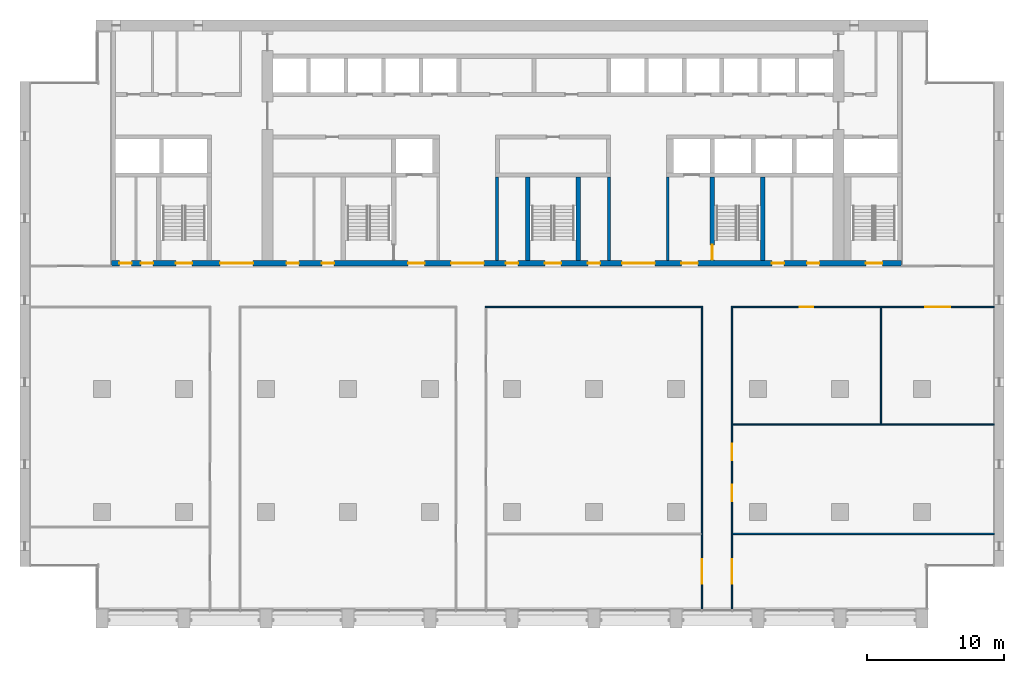
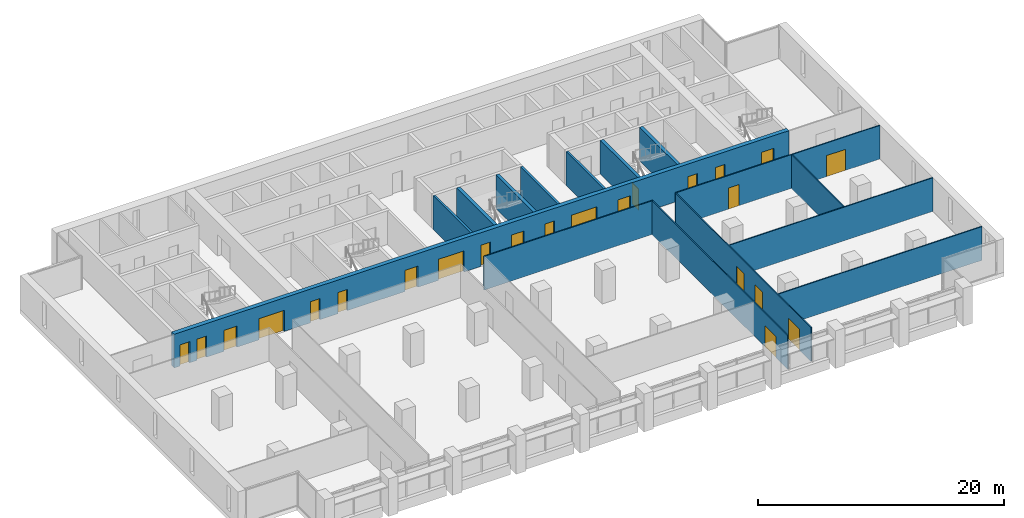
# One storey, part 9 of 16: 23 doors, 15 walls, 23 openings.
"""IFC4 building model written with IfcOpenShell, lengths in metres."""

import ifcopenshell
import ifcopenshell.guid

model = None  # the IFC model being written
_history = None  # IfcOwnerHistory: only IFC2X3 demands one
_inside = {}  # id of a spatial element -> (the spatial element, [elements in it])
_under = {}  # id of a project, library or spatial element -> (it, [spatial elements below it])
_declared = {}  # id of a project -> (the project, [libraries it declares])
_typed = {}  # id of a type object -> (the type object, [elements of that type])
_made_of = {}  # id of a material, layer set ... -> (it, [elements and type objects made of it])


def new_model(schema):
    """Start an empty IFC model of exactly this schema.

    Asked for "IFC4X3", IfcOpenShell would pick the latest addendum, in which some entities
    have other attributes; the version numbers below select the first issue.
    IFC2X3 requires an IfcOwnerHistory on every rooted entity: one is made here for all.
    """
    global model, _history
    if schema == "IFC4X3":
        model = ifcopenshell.file(schema_version=(4, 3, 0, 0))
    else:
        model = ifcopenshell.file(schema=schema)
    _inside.clear()
    _under.clear()
    _declared.clear()
    _typed.clear()
    _made_of.clear()
    _history = None
    if model.schema == "IFC2X3":
        org = make("IfcOrganization", Name="unknown")
        user = make(
            "IfcPersonAndOrganization",
            ThePerson=make("IfcPerson", FamilyName="unknown"),
            TheOrganization=org,
        )
        app = make(
            "IfcApplication",
            ApplicationDeveloper=org,
            Version="unknown",
            ApplicationFullName="unknown",
            ApplicationIdentifier="unknown",
        )
        _history = make(
            "IfcOwnerHistory",
            OwningUser=user,
            OwningApplication=app,
            ChangeAction="ADDED",
            CreationDate=0,
        )
    return model


def make(cls, **values):
    """One entity of the class cls with the attributes given. An attribute that is None is left unset."""
    return model.create_entity(
        cls, **{name: value for name, value in values.items() if value is not None}
    )


def rooted(cls, **values):
    """An entity with a GlobalId (a new one), such as an element, a storey or a relation."""
    return make(cls, GlobalId=ifcopenshell.guid.new(), OwnerHistory=_history, **values)


def si_unit(unit_type, name, prefix=None):
    """IfcSIUnit, for example si_unit("LENGTHUNIT", "METRE", prefix="MILLI")."""
    return make("IfcSIUnit", UnitType=unit_type, Prefix=prefix, Name=name)


def assignment(units):
    """IfcUnitAssignment: the units of a project."""
    return None if units is None else make("IfcUnitAssignment", Units=units)


def point(xyz):
    """IfcCartesianPoint."""
    return None if xyz is None else make("IfcCartesianPoint", Coordinates=xyz)


def direction(xyz):
    """IfcDirection."""
    return None if xyz is None else make("IfcDirection", DirectionRatios=xyz)


def frame(location, z_axis=None, x_axis=None):
    """IfcAxis2Placement3D, a coordinate frame: its origin and axes. An axis left out is left unset."""
    return make(
        "IfcAxis2Placement3D",
        Location=point(location),
        Axis=direction(z_axis),
        RefDirection=direction(x_axis),
    )


def frame_2d(location, x_axis=None):
    """IfcAxis2Placement2D, a coordinate frame in the plane: its origin and x axis."""
    return make(
        "IfcAxis2Placement2D", Location=point(location), RefDirection=direction(x_axis)
    )


def origin():
    """The frame at (0, 0, 0) with its axes left unset."""
    return frame((0.0, 0.0, 0.0))


def place(relative_to, where):
    """IfcLocalPlacement: puts the frame where relative to a parent placement (None: the world)."""
    return make(
        "IfcLocalPlacement", PlacementRelTo=relative_to, RelativePlacement=where
    )


def context(
    kind, dimensions, precision=None, world=None, true_north=None, identifier=None
):
    """IfcGeometricRepresentationContext, for example the 3D "Model" context."""
    return make(
        "IfcGeometricRepresentationContext",
        ContextIdentifier=identifier,
        ContextType=kind,
        CoordinateSpaceDimension=dimensions,
        Precision=precision,
        WorldCoordinateSystem=world,
        TrueNorth=true_north,
    )


def subcontext(parent, identifier, kind, view, scale=None):
    """IfcGeometricRepresentationSubContext, for example "Body" below "Model"."""
    return make(
        "IfcGeometricRepresentationSubContext",
        ContextIdentifier=identifier,
        ContextType=kind,
        ParentContext=parent,
        TargetScale=scale,
        TargetView=view,
    )


def project(units=None, contexts=None):
    """IfcProject with its units and contexts."""
    return rooted(
        "IfcProject",
        Name="project",
        RepresentationContexts=contexts,
        UnitsInContext=assignment(units),
    )


def spatial(cls, under=None, at=None, **own):
    """A site, building, storey or space (cls), placed at a placement, below another one or the project."""
    s = rooted(cls, ObjectPlacement=at, **own)
    if under is not None:
        _under.setdefault(under.id(), (under, []))[1].append(s)
    return s


def profile(cls, at=None, kind="AREA", **sizes):
    """A parametric profile (cls). Its sizes go by their IFC names, for example OverallWidth=200.0."""
    return make(cls, ProfileType=kind, Position=at, **sizes)


def rectangle(**sizes):
    """IfcRectangleProfileDef."""
    return profile("IfcRectangleProfileDef", **sizes)


def extrude(swept, where, along, depth):
    """IfcExtrudedAreaSolid: the profile swept, set in the frame where, extruded along a direction by depth."""
    return make(
        "IfcExtrudedAreaSolid",
        SweptArea=swept,
        Position=where,
        ExtrudedDirection=direction(along),
        Depth=depth,
    )


def shape(context_of_items, identifier, shape_type, items):
    """IfcShapeRepresentation: the items that make up one representation, for example the "Body"."""
    return make(
        "IfcShapeRepresentation",
        ContextOfItems=context_of_items,
        RepresentationIdentifier=identifier,
        RepresentationType=shape_type,
        Items=items,
    )


def material(Name=None, Category=None):
    """IfcMaterial."""
    return make("IfcMaterial", Name=Name, Category=Category)


def layer(
    of_material, thickness, ventilated=None, Name=None, Category=None, Priority=None
):
    """IfcMaterialLayer: one layer of a wall or slab, of a material (None: an air gap)."""
    return make(
        "IfcMaterialLayer",
        Material=of_material,
        LayerThickness=thickness,
        IsVentilated=ventilated,
        Name=Name,
        Category=Category,
        Priority=Priority,
    )


def layer_set(layers, Name=None):
    """IfcMaterialLayerSet."""
    return make("IfcMaterialLayerSet", MaterialLayers=layers, LayerSetName=Name)


def made_of(thing, what):
    """Note that an element or type object is made of a material, layer set ...; save() writes the relation."""
    if what is not None:
        _made_of.setdefault(what.id(), (what, []))[1].append(thing)
    return thing


def type_object(cls, material=None, **own):
    """A type object (cls), such as IfcWallType, which elements share."""
    return made_of(rooted(cls, **own), material)


def element(
    cls,
    number,
    at=None,
    inside=None,
    cuts=None,
    type_object=None,
    material=None,
    context=None,
    identifier="Body",
    shape_type=None,
    held_by="IfcProductDefinitionShape",
    body=None,
    shapes=None,
    **own,
):
    """One element of the class cls, such as IfcWall. Its Tag is "e" and its number.

    at: its placement. inside: the storey or other place that contains it. cuts: it is an
    opening in that element (IfcRelVoidsElement). A single representation is given by context,
    identifier, shape_type and body (its items); several are given by shapes. held_by: the class
    of the entity that holds the representations. save() writes the other relations.
    """
    e = rooted(cls, Tag="e%d" % number, ObjectPlacement=at, **own)
    if body is not None:
        shapes = [shape(context, identifier, shape_type, body)]
    if shapes is not None:
        e.Representation = make(held_by, Representations=shapes)
    if inside is not None:
        _inside.setdefault(inside.id(), (inside, []))[1].append(e)
    if cuts is not None:
        rooted(
            "IfcRelVoidsElement", RelatingBuildingElement=cuts, RelatedOpeningElement=e
        )
    if type_object is not None:
        _typed.setdefault(type_object.id(), (type_object, []))[1].append(e)
    return made_of(e, material)


def fill(opening, filler):
    """IfcRelFillsElement: the door or window that sits in an opening."""
    return rooted(
        "IfcRelFillsElement",
        RelatingOpeningElement=opening,
        RelatedBuildingElement=filler,
    )


def aggregate(whole, parts):
    """IfcRelAggregates: a whole, such as a stair, and the parts it consists of."""
    return rooted("IfcRelAggregates", RelatingObject=whole, RelatedObjects=parts)


def save(model, path):
    """Write the relations noted so far, then the file.

    IfcRelAggregates (storeys below a building ...), IfcRelContainedInSpatialStructure (elements
    in a storey), IfcRelDefinesByType, IfcRelAssociatesMaterial and IfcRelDeclares: one each for
    every whole, place, type object, material and project.
    """
    for whole, parts in _under.values():
        aggregate(whole, parts)
    for where, things in _inside.values():
        rooted(
            "IfcRelContainedInSpatialStructure",
            RelatedElements=things,
            RelatingStructure=where,
        )
    for kind, things in _typed.values():
        rooted("IfcRelDefinesByType", RelatedObjects=things, RelatingType=kind)
    for what, things in _made_of.values():
        rooted("IfcRelAssociatesMaterial", RelatedObjects=things, RelatingMaterial=what)
    for by, libraries in _declared.values():
        rooted("IfcRelDeclares", RelatingContext=by, RelatedDefinitions=libraries)
    model.write(path)


model = new_model("IFC4")

# Units and contexts
model_context = context("Model", 3, precision=1e-05, world=origin(), true_north=direction((0.0, 1.0)))
body_context = subcontext(model_context, "Body", "Model", "MODEL_VIEW")
ifc_project = project(units=[si_unit("LENGTHUNIT", "METRE"), si_unit("AREAUNIT", "SQUARE_METRE"), si_unit("VOLUMEUNIT", "CUBIC_METRE"), si_unit("PLANEANGLEUNIT", "RADIAN"), si_unit("MASSUNIT", "GRAM", prefix="KILO")], contexts=[model_context])

# Site, building, storey
site_placement = place(None, origin())
site = spatial("IfcSite", under=ifc_project, at=site_placement, CompositionType="ELEMENT")
building_placement = place(site_placement, origin())
building = spatial("IfcBuilding", under=site, at=building_placement, Name="Calvaro Tower", CompositionType="ELEMENT")
storey_placement = place(building_placement, frame((0.0, 0.0, 136.25)))
storey = spatial("IfcBuildingStorey", under=building, at=storey_placement, Name="L34", CompositionType="ELEMENT", Elevation=136.25)

# Walls
ifc_material_1 = material(Name="Blockwork partition", Category="masonry")
ifc_layer_1 = layer(ifc_material_1, 0.199951171875)
ifc_layer_set_1 = layer_set([ifc_layer_1], Name="Blockwork partition")
wall_type_1 = type_object("IfcWallType", Name="Core partition 200 REI 120", PredefinedType="PARTITIONING", material=ifc_layer_set_1)
for number, where, z_axis, x_axis, name in (
    (1, (34.89990234375, 28.39990234375, 0.0), (0.0, 0.0, 1.0), (0.0, 1.0, 0.0), "Core partition"),
    (2, (43.10009765625, 28.39990234375, 0.0), (0.0, 0.0, 1.0), (0.0, 1.0, 0.0), "Core partition"),
    (3, (47.39990234375, 28.39990234375, 0.0), (0.0, 0.0, 1.0), (0.0, 1.0, 0.0), "Core partition"),
):
    element("IfcWall", number, at=place(storey_placement, frame(where, z_axis=z_axis, x_axis=x_axis)), inside=storey, type_object=wall_type_1, Name=name, PredefinedType="PARTITIONING", context=body_context, shape_type="SweptSolid", body=[
        extrude(rectangle(XDim=6.10009765625, YDim=0.199951171875, at=frame_2d((3.050048828125, 0.0))), origin(), (0.0, 0.0, 1.0), 3.35009765625),
    ])
ifc_material_2 = material(Name="Concrete C60/75", Category="concrete")
ifc_layer_2 = layer(ifc_material_2, 0.300048828125)
ifc_layer_set_2 = layer_set([ifc_layer_2], Name="Concrete C60/75")
wall_type_2 = type_object("IfcWallType", Name="Core wall C60/75 300", PredefinedType="SHEAR", material=ifc_layer_set_2)
for number, where, z_axis, x_axis, name in (
    (4, (37.14990234375, 28.39990234375, 0.0), (0.0, 0.0, 1.0), (0.0, 1.0, 0.0), "Core wall, stair enclosure"),
    (5, (40.85009765625, 28.39990234375, 0.0), (0.0, 0.0, 1.0), (0.0, 1.0, 0.0), "Core wall, stair enclosure"),
):
    element("IfcWall", number, at=place(storey_placement, frame(where, z_axis=z_axis, x_axis=x_axis)), inside=storey, type_object=wall_type_2, Name=name, PredefinedType="SHEAR", context=body_context, shape_type="SweptSolid", body=[
        extrude(rectangle(XDim=6.10009765625, YDim=0.300048828125, at=frame_2d((3.050048828125, 0.0))), origin(), (0.0, 0.0, 1.0), 3.35009765625),
    ])

# Wall, opening, door
wall_1_placement = place(storey_placement, frame((50.64990234375, 34.5, 0.0), z_axis=(0.0, 0.0, 1.0), x_axis=(0.0, -1.0, 0.0)))
wall_1 = element("IfcWall", 6, at=wall_1_placement, inside=storey, type_object=wall_type_2, Name="Core wall, stair enclosure", PredefinedType="SHEAR", context=body_context, shape_type="SweptSolid", body=[
    extrude(rectangle(XDim=6.10009765625, YDim=0.300048828125, at=frame_2d((3.050048828125, 0.0))), origin(), (0.0, 0.0, 1.0), 3.35009765625),
])
opening_1_placement = place(wall_1_placement, frame((4.949951171875, 0.0, 0.0)))
opening_1 = element("IfcOpeningElement", 7, at=opening_1_placement, cuts=wall_1, Name="Opening FD11D", PredefinedType="OPENING", context=body_context, shape_type="SweptSolid", body=[
    extrude(rectangle(XDim=1.10009765625, YDim=2.10009765625, at=frame_2d((0.550048828125, 1.050048828125))), frame((0.0, 0.159912109375, 0.0), z_axis=(0.0, -1.0, 0.0), x_axis=(1.0, 0.0, 0.0)), (0.0, 0.0, 1.0), 0.320068359375),
])
ifc_material_3 = material(Name="Steel door set", Category="steel")
door_type_1 = type_object("IfcDoorType", Name="Fire door 1100 FD30S", OperationType="SINGLE_SWING_LEFT", PredefinedType="DOOR", material=ifc_material_3)
door_1_placement = place(opening_1_placement, origin())
door_1 = element("IfcDoor", 8, at=door_1_placement, inside=storey, type_object=door_type_1, Name="Fire door", OperationType="SINGLE_SWING_RIGHT", OverallHeight=2.10009765625, OverallWidth=1.10009765625, PredefinedType="DOOR", context=body_context, shape_type="SweptSolid", body=[
    extrude(rectangle(XDim=1.10009765625, YDim=2.10009765625, at=frame_2d((0.550048828125, 1.050048828125))), frame((0.0, 0.02490234375, 0.0), z_axis=(0.0, -1.0, 0.0), x_axis=(1.0, 0.0, 0.0)), (0.0, 0.0, 1.0), 0.050048828125),
])
fill(opening_1, door_1)

# Wall
wall_2_placement = place(storey_placement, frame((54.35009765625, 28.39990234375, 0.0), z_axis=(0.0, 0.0, 1.0), x_axis=(0.0, 1.0, 0.0)))
element("IfcWall", 9, at=wall_2_placement, inside=storey, type_object=wall_type_2, Name="Core wall, stair enclosure", PredefinedType="SHEAR", context=body_context, shape_type="SweptSolid", body=[
    extrude(rectangle(XDim=6.10009765625, YDim=0.300048828125, at=frame_2d((3.050048828125, 0.0))), origin(), (0.0, 0.0, 1.0), 3.35009765625),
])

# Wall, openings, doors
ifc_material_4 = material(Name="Concrete C60/75", Category="concrete")
ifc_layer_3 = layer(ifc_material_4, 0.39990234375)
ifc_layer_set_3 = layer_set([ifc_layer_3], Name="Concrete C60/75")
wall_type_3 = type_object("IfcWallType", Name="Core wall C60/75 400", PredefinedType="SHEAR", material=ifc_layer_set_3)
wall_3_placement = place(storey_placement, frame((6.699951171875, 28.199951171875, 0.0), z_axis=(0.0, 0.0, 1.0), x_axis=(1.0, 0.0, 0.0)))
wall_3 = element("IfcWall", 10, at=wall_3_placement, inside=storey, type_object=wall_type_3, Name="Core wall, front", PredefinedType="SHEAR", context=body_context, shape_type="SweptSolid", body=[
    extrude(rectangle(XDim=57.800048828125, YDim=0.39990234375, at=frame_2d((28.89990234375, 0.0))), origin(), (0.0, 0.0, 1.0), 3.35009765625),
])
opening_2_placement = place(wall_3_placement, frame((12.8125, 0.0, 0.0)))
opening_2 = element("IfcOpeningElement", 11, at=opening_2_placement, cuts=wall_3, Name="Opening RD9E", PredefinedType="OPENING", context=body_context, shape_type="SweptSolid", body=[
    extrude(rectangle(XDim=0.89990234375, YDim=2.10009765625, at=frame_2d((0.449951171875, 1.050048828125))), frame((0.0, 0.2099609375, 0.0), z_axis=(0.0, -1.0, 0.0), x_axis=(1.0, 0.0, 0.0)), (0.0, 0.0, 1.0), 0.419921875),
])
opening_3_placement = place(wall_3_placement, frame((15.387451171875, 0.0, 0.0)))
opening_3 = element("IfcOpeningElement", 12, at=opening_3_placement, cuts=wall_3, Name="Opening RD9E", PredefinedType="OPENING", context=body_context, shape_type="SweptSolid", body=[
    extrude(rectangle(XDim=0.89990234375, YDim=2.10009765625, at=frame_2d((0.449951171875, 1.050048828125))), frame((0.0, 0.2099609375, 0.0), z_axis=(0.0, -1.0, 0.0), x_axis=(1.0, 0.0, 0.0)), (0.0, 0.0, 1.0), 0.419921875),
])
opening_4_placement = place(wall_3_placement, frame((48.3125, 0.0, 0.0)))
opening_4 = element("IfcOpeningElement", 13, at=opening_4_placement, cuts=wall_3, Name="Opening RD9E", PredefinedType="OPENING", context=body_context, shape_type="SweptSolid", body=[
    extrude(rectangle(XDim=0.89990234375, YDim=2.10009765625, at=frame_2d((0.449951171875, 1.050048828125))), frame((0.0, 0.2099609375, 0.0), z_axis=(0.0, -1.0, 0.0), x_axis=(1.0, 0.0, 0.0)), (0.0, 0.0, 1.0), 0.419921875),
])
opening_5_placement = place(wall_3_placement, frame((50.887451171875, 0.0, 0.0)))
opening_5 = element("IfcOpeningElement", 14, at=opening_5_placement, cuts=wall_3, Name="Opening RD9E", PredefinedType="OPENING", context=body_context, shape_type="SweptSolid", body=[
    extrude(rectangle(XDim=0.89990234375, YDim=2.10009765625, at=frame_2d((0.449951171875, 1.050048828125))), frame((0.0, 0.2099609375, 0.0), z_axis=(0.0, -1.0, 0.0), x_axis=(1.0, 0.0, 0.0)), (0.0, 0.0, 1.0), 0.419921875),
])
opening_6_placement = place(wall_3_placement, frame((0.5625, 0.0, 0.0)))
opening_6 = element("IfcOpeningElement", 15, at=opening_6_placement, cuts=wall_3, Name="Opening RD9E", PredefinedType="OPENING", context=body_context, shape_type="SweptSolid", body=[
    extrude(rectangle(XDim=0.89990234375, YDim=2.10009765625, at=frame_2d((0.449951171875, 1.050048828125))), frame((0.0, 0.2099609375, 0.0), z_axis=(0.0, -1.0, 0.0), x_axis=(1.0, 0.0, 0.0)), (0.0, 0.0, 1.0), 0.419921875),
])
opening_7_placement = place(wall_3_placement, frame((2.137451171875, 0.0, 0.0)))
opening_7 = element("IfcOpeningElement", 16, at=opening_7_placement, cuts=wall_3, Name="Opening RD9C", PredefinedType="OPENING", context=body_context, shape_type="SweptSolid", body=[
    extrude(rectangle(XDim=0.89990234375, YDim=2.10009765625, at=frame_2d((0.449951171875, 1.050048828125))), frame((0.0, 0.2099609375, 0.0), z_axis=(0.0, -1.0, 0.0), x_axis=(1.0, 0.0, 0.0)), (0.0, 0.0, 1.0), 0.419921875),
])
opening_8_placement = place(wall_3_placement, frame((4.699951171875, 0.0, 0.0)))
opening_8 = element("IfcOpeningElement", 17, at=opening_8_placement, cuts=wall_3, Name="Opening SD12D", PredefinedType="OPENING", context=body_context, shape_type="SweptSolid", body=[
    extrude(rectangle(XDim=1.199951171875, YDim=2.10009765625, at=frame_2d((0.60009765625, 1.050048828125))), frame((0.0, 0.2099609375, 0.0), z_axis=(0.0, -1.0, 0.0), x_axis=(1.0, 0.0, 0.0)), (0.0, 0.0, 1.0), 0.419921875),
])
opening_9_placement = place(wall_3_placement, frame((31.699951171875, 0.0, 0.0)))
opening_9 = element("IfcOpeningElement", 18, at=opening_9_placement, cuts=wall_3, Name="Opening SD12D", PredefinedType="OPENING", context=body_context, shape_type="SweptSolid", body=[
    extrude(rectangle(XDim=1.199951171875, YDim=2.10009765625, at=frame_2d((0.60009765625, 1.050048828125))), frame((0.0, 0.2099609375, 0.0), z_axis=(0.0, -1.0, 0.0), x_axis=(1.0, 0.0, 0.0)), (0.0, 0.0, 1.0), 0.419921875),
])
opening_10_placement = place(wall_3_placement, frame((55.199951171875, 0.0, 0.0)))
opening_10 = element("IfcOpeningElement", 19, at=opening_10_placement, cuts=wall_3, Name="Opening SD12D", PredefinedType="OPENING", context=body_context, shape_type="SweptSolid", body=[
    extrude(rectangle(XDim=1.199951171875, YDim=2.10009765625, at=frame_2d((0.60009765625, 1.050048828125))), frame((0.0, 0.2099609375, 0.0), z_axis=(0.0, -1.0, 0.0), x_axis=(1.0, 0.0, 0.0)), (0.0, 0.0, 1.0), 0.419921875),
])
opening_11_placement = place(wall_3_placement, frame((21.699951171875, 0.0, 0.0)))
opening_11 = element("IfcOpeningElement", 20, at=opening_11_placement, cuts=wall_3, Name="Opening FD12F", PredefinedType="OPENING", context=body_context, shape_type="SweptSolid", body=[
    extrude(rectangle(XDim=1.199951171875, YDim=2.10009765625, at=frame_2d((0.60009765625, 1.050048828125))), frame((0.0, 0.2099609375, 0.0), z_axis=(0.0, -1.0, 0.0), x_axis=(1.0, 0.0, 0.0)), (0.0, 0.0, 1.0), 0.419921875),
])
opening_12_placement = place(wall_3_placement, frame((41.699951171875, 0.0, 0.0)))
opening_12 = element("IfcOpeningElement", 21, at=opening_12_placement, cuts=wall_3, Name="Opening FD12F", PredefinedType="OPENING", context=body_context, shape_type="SweptSolid", body=[
    extrude(rectangle(XDim=1.199951171875, YDim=2.10009765625, at=frame_2d((0.60009765625, 1.050048828125))), frame((0.0, 0.2099609375, 0.0), z_axis=(0.0, -1.0, 0.0), x_axis=(1.0, 0.0, 0.0)), (0.0, 0.0, 1.0), 0.419921875),
])
opening_13_placement = place(wall_3_placement, frame((24.85009765625, 0.0, 0.0)))
opening_13 = element("IfcOpeningElement", 22, at=opening_13_placement, cuts=wall_3, Name="Opening DD24D", PredefinedType="OPENING", context=body_context, shape_type="SweptSolid", body=[
    extrude(rectangle(XDim=2.39990234375, YDim=2.10009765625, at=frame_2d((1.199951171875, 1.050048828125))), frame((0.0, 0.2099609375, 0.0), z_axis=(0.0, -1.0, 0.0), x_axis=(1.0, 0.0, 0.0)), (0.0, 0.0, 1.0), 0.419921875),
])
opening_14_placement = place(wall_3_placement, frame((37.35009765625, 0.0, 0.0)))
opening_14 = element("IfcOpeningElement", 23, at=opening_14_placement, cuts=wall_3, Name="Opening DD24D", PredefinedType="OPENING", context=body_context, shape_type="SweptSolid", body=[
    extrude(rectangle(XDim=2.39990234375, YDim=2.10009765625, at=frame_2d((1.199951171875, 1.050048828125))), frame((0.0, 0.2099609375, 0.0), z_axis=(0.0, -1.0, 0.0), x_axis=(1.0, 0.0, 0.0)), (0.0, 0.0, 1.0), 0.419921875),
])
opening_15_placement = place(wall_3_placement, frame((7.949951171875, 0.0, 0.0)))
opening_15 = element("IfcOpeningElement", 24, at=opening_15_placement, cuts=wall_3, Name="Opening DD24D", PredefinedType="OPENING", context=body_context, shape_type="SweptSolid", body=[
    extrude(rectangle(XDim=2.39990234375, YDim=2.10009765625, at=frame_2d((1.199951171875, 1.050048828125))), frame((0.0, 0.2099609375, 0.0), z_axis=(0.0, -1.0, 0.0), x_axis=(1.0, 0.0, 0.0)), (0.0, 0.0, 1.0), 0.419921875),
])
opening_16_placement = place(wall_3_placement, frame((28.85009765625, 0.0, 0.0)))
opening_16 = element("IfcOpeningElement", 25, at=opening_16_placement, cuts=wall_3, Name="Opening RD9E", PredefinedType="OPENING", context=body_context, shape_type="SweptSolid", body=[
    extrude(rectangle(XDim=0.89990234375, YDim=2.10009765625, at=frame_2d((0.449951171875, 1.050048828125))), frame((0.0, 0.2099609375, 0.0), z_axis=(0.0, -1.0, 0.0), x_axis=(1.0, 0.0, 0.0)), (0.0, 0.0, 1.0), 0.419921875),
])
opening_17_placement = place(wall_3_placement, frame((34.85009765625, 0.0, 0.0)))
opening_17 = element("IfcOpeningElement", 26, at=opening_17_placement, cuts=wall_3, Name="Opening RD9E", PredefinedType="OPENING", context=body_context, shape_type="SweptSolid", body=[
    extrude(rectangle(XDim=0.89990234375, YDim=2.10009765625, at=frame_2d((0.449951171875, 1.050048828125))), frame((0.0, 0.2099609375, 0.0), z_axis=(0.0, -1.0, 0.0), x_axis=(1.0, 0.0, 0.0)), (0.0, 0.0, 1.0), 0.419921875),
])
ifc_material_5 = material(Name="Steel door set", Category="steel")
door_type_2 = type_object("IfcDoorType", Name="Fire door 1200 FD60S", OperationType="SINGLE_SWING_LEFT", PredefinedType="DOOR", material=ifc_material_5)
door_2_placement = place(opening_11_placement, origin())
door_2 = element("IfcDoor", 27, at=door_2_placement, inside=storey, type_object=door_type_2, Name="Fire door", OperationType="SINGLE_SWING_LEFT", OverallHeight=2.10009765625, OverallWidth=1.199951171875, PredefinedType="DOOR", context=body_context, shape_type="SweptSolid", body=[
    extrude(rectangle(XDim=1.199951171875, YDim=2.10009765625, at=frame_2d((0.60009765625, 1.050048828125))), frame((0.0, 0.02490234375, 0.0), z_axis=(0.0, -1.0, 0.0), x_axis=(1.0, 0.0, 0.0)), (0.0, 0.0, 1.0), 0.050048828125),
])
fill(opening_11, door_2)
door_3_placement = place(opening_12_placement, origin())
door_3 = element("IfcDoor", 28, at=door_3_placement, inside=storey, type_object=door_type_2, Name="Fire door", OperationType="SINGLE_SWING_LEFT", OverallHeight=2.10009765625, OverallWidth=1.199951171875, PredefinedType="DOOR", context=body_context, shape_type="SweptSolid", body=[
    extrude(rectangle(XDim=1.199951171875, YDim=2.10009765625, at=frame_2d((0.60009765625, 1.050048828125))), frame((0.0, 0.02490234375, 0.0), z_axis=(0.0, -1.0, 0.0), x_axis=(1.0, 0.0, 0.0)), (0.0, 0.0, 1.0), 0.050048828125),
])
fill(opening_12, door_3)
ifc_material_6 = material(Name="Steel door set", Category="steel")
door_type_3 = type_object("IfcDoorType", Name="Lobby double door 2400 FD30S", OperationType="DOUBLE_DOOR_SINGLE_SWING", PredefinedType="DOOR", material=ifc_material_6)
door_4_placement = place(opening_13_placement, origin())
door_4 = element("IfcDoor", 29, at=door_4_placement, inside=storey, type_object=door_type_3, Name="Lobby double door", OperationType="DOUBLE_DOOR_SINGLE_SWING", OverallHeight=2.10009765625, OverallWidth=2.39990234375, PredefinedType="DOOR", context=body_context, shape_type="SweptSolid", body=[
    extrude(rectangle(XDim=2.39990234375, YDim=2.10009765625, at=frame_2d((1.199951171875, 1.050048828125))), frame((0.0, 0.02490234375, 0.0), z_axis=(0.0, -1.0, 0.0), x_axis=(1.0, 0.0, 0.0)), (0.0, 0.0, 1.0), 0.050048828125),
])
fill(opening_13, door_4)
door_5_placement = place(opening_14_placement, origin())
door_5 = element("IfcDoor", 30, at=door_5_placement, inside=storey, type_object=door_type_3, Name="Lobby double door", OperationType="DOUBLE_DOOR_SINGLE_SWING", OverallHeight=2.10009765625, OverallWidth=2.39990234375, PredefinedType="DOOR", context=body_context, shape_type="SweptSolid", body=[
    extrude(rectangle(XDim=2.39990234375, YDim=2.10009765625, at=frame_2d((1.199951171875, 1.050048828125))), frame((0.0, 0.02490234375, 0.0), z_axis=(0.0, -1.0, 0.0), x_axis=(1.0, 0.0, 0.0)), (0.0, 0.0, 1.0), 0.050048828125),
])
fill(opening_14, door_5)
door_6_placement = place(opening_15_placement, origin())
door_6 = element("IfcDoor", 31, at=door_6_placement, inside=storey, type_object=door_type_3, Name="Lobby double door", OperationType="DOUBLE_DOOR_SINGLE_SWING", OverallHeight=2.10009765625, OverallWidth=2.39990234375, PredefinedType="DOOR", context=body_context, shape_type="SweptSolid", body=[
    extrude(rectangle(XDim=2.39990234375, YDim=2.10009765625, at=frame_2d((1.199951171875, 1.050048828125))), frame((0.0, 0.02490234375, 0.0), z_axis=(0.0, -1.0, 0.0), x_axis=(1.0, 0.0, 0.0)), (0.0, 0.0, 1.0), 0.050048828125),
])
fill(opening_15, door_6)
ifc_material_7 = material(Name="Steel door set", Category="steel")
door_type_4 = type_object("IfcDoorType", Name="Room door 900 FD30", OperationType="SINGLE_SWING_LEFT", PredefinedType="DOOR", material=ifc_material_7)
door_7_placement = place(opening_7_placement, origin())
door_7 = element("IfcDoor", 32, at=door_7_placement, inside=storey, type_object=door_type_4, Name="Room door", OperationType="SINGLE_SWING_LEFT", OverallHeight=2.10009765625, OverallWidth=0.89990234375, PredefinedType="DOOR", context=body_context, shape_type="SweptSolid", body=[
    extrude(rectangle(XDim=0.89990234375, YDim=2.10009765625, at=frame_2d((0.449951171875, 1.050048828125))), frame((0.0, 0.02490234375, 0.0), z_axis=(0.0, -1.0, 0.0), x_axis=(1.0, 0.0, 0.0)), (0.0, 0.0, 1.0), 0.050048828125),
])
fill(opening_7, door_7)
ifc_material_8 = material(Name="Steel door set", Category="steel")
door_type_5 = type_object("IfcDoorType", Name="Room door 900 FD60", OperationType="SINGLE_SWING_LEFT", PredefinedType="DOOR", material=ifc_material_8)
door_8_placement = place(opening_2_placement, origin())
door_8 = element("IfcDoor", 33, at=door_8_placement, inside=storey, type_object=door_type_5, Name="Room door", OperationType="SINGLE_SWING_LEFT", OverallHeight=2.10009765625, OverallWidth=0.89990234375, PredefinedType="DOOR", context=body_context, shape_type="SweptSolid", body=[
    extrude(rectangle(XDim=0.89990234375, YDim=2.10009765625, at=frame_2d((0.449951171875, 1.050048828125))), frame((0.0, 0.02490234375, 0.0), z_axis=(0.0, -1.0, 0.0), x_axis=(1.0, 0.0, 0.0)), (0.0, 0.0, 1.0), 0.050048828125),
])
fill(opening_2, door_8)
door_9_placement = place(opening_3_placement, origin())
door_9 = element("IfcDoor", 34, at=door_9_placement, inside=storey, type_object=door_type_5, Name="Room door", OperationType="SINGLE_SWING_RIGHT", OverallHeight=2.10009765625, OverallWidth=0.89990234375, PredefinedType="DOOR", context=body_context, shape_type="SweptSolid", body=[
    extrude(rectangle(XDim=0.89990234375, YDim=2.10009765625, at=frame_2d((0.449951171875, 1.050048828125))), frame((0.0, 0.02490234375, 0.0), z_axis=(0.0, -1.0, 0.0), x_axis=(1.0, 0.0, 0.0)), (0.0, 0.0, 1.0), 0.050048828125),
])
fill(opening_3, door_9)
door_10_placement = place(opening_4_placement, origin())
door_10 = element("IfcDoor", 35, at=door_10_placement, inside=storey, type_object=door_type_5, Name="Room door", OperationType="SINGLE_SWING_LEFT", OverallHeight=2.10009765625, OverallWidth=0.89990234375, PredefinedType="DOOR", context=body_context, shape_type="SweptSolid", body=[
    extrude(rectangle(XDim=0.89990234375, YDim=2.10009765625, at=frame_2d((0.449951171875, 1.050048828125))), frame((0.0, 0.02490234375, 0.0), z_axis=(0.0, -1.0, 0.0), x_axis=(1.0, 0.0, 0.0)), (0.0, 0.0, 1.0), 0.050048828125),
])
fill(opening_4, door_10)
door_11_placement = place(opening_5_placement, origin())
door_11 = element("IfcDoor", 36, at=door_11_placement, inside=storey, type_object=door_type_5, Name="Room door", OperationType="SINGLE_SWING_LEFT", OverallHeight=2.10009765625, OverallWidth=0.89990234375, PredefinedType="DOOR", context=body_context, shape_type="SweptSolid", body=[
    extrude(rectangle(XDim=0.89990234375, YDim=2.10009765625, at=frame_2d((0.449951171875, 1.050048828125))), frame((0.0, 0.02490234375, 0.0), z_axis=(0.0, -1.0, 0.0), x_axis=(1.0, 0.0, 0.0)), (0.0, 0.0, 1.0), 0.050048828125),
])
fill(opening_5, door_11)
door_12_placement = place(opening_6_placement, origin())
door_12 = element("IfcDoor", 37, at=door_12_placement, inside=storey, type_object=door_type_5, Name="Room door", OperationType="SINGLE_SWING_LEFT", OverallHeight=2.10009765625, OverallWidth=0.89990234375, PredefinedType="DOOR", context=body_context, shape_type="SweptSolid", body=[
    extrude(rectangle(XDim=0.89990234375, YDim=2.10009765625, at=frame_2d((0.449951171875, 1.050048828125))), frame((0.0, 0.02490234375, 0.0), z_axis=(0.0, -1.0, 0.0), x_axis=(1.0, 0.0, 0.0)), (0.0, 0.0, 1.0), 0.050048828125),
])
fill(opening_6, door_12)
door_13_placement = place(opening_16_placement, origin())
door_13 = element("IfcDoor", 38, at=door_13_placement, inside=storey, type_object=door_type_5, Name="Room door", OperationType="SINGLE_SWING_LEFT", OverallHeight=2.10009765625, OverallWidth=0.89990234375, PredefinedType="DOOR", context=body_context, shape_type="SweptSolid", body=[
    extrude(rectangle(XDim=0.89990234375, YDim=2.10009765625, at=frame_2d((0.449951171875, 1.050048828125))), frame((0.0, 0.02490234375, 0.0), z_axis=(0.0, -1.0, 0.0), x_axis=(1.0, 0.0, 0.0)), (0.0, 0.0, 1.0), 0.050048828125),
])
fill(opening_16, door_13)
door_14_placement = place(opening_17_placement, origin())
door_14 = element("IfcDoor", 39, at=door_14_placement, inside=storey, type_object=door_type_5, Name="Room door", OperationType="SINGLE_SWING_LEFT", OverallHeight=2.10009765625, OverallWidth=0.89990234375, PredefinedType="DOOR", context=body_context, shape_type="SweptSolid", body=[
    extrude(rectangle(XDim=0.89990234375, YDim=2.10009765625, at=frame_2d((0.449951171875, 1.050048828125))), frame((0.0, 0.02490234375, 0.0), z_axis=(0.0, -1.0, 0.0), x_axis=(1.0, 0.0, 0.0)), (0.0, 0.0, 1.0), 0.050048828125),
])
fill(opening_17, door_14)
ifc_material_9 = material(Name="Steel door set", Category="steel")
door_type_6 = type_object("IfcDoorType", Name="Stair door 1200 FD30S", OperationType="SINGLE_SWING_LEFT", PredefinedType="DOOR", material=ifc_material_9)
door_15_placement = place(opening_8_placement, origin())
door_15 = element("IfcDoor", 40, at=door_15_placement, inside=storey, type_object=door_type_6, Name="Stair door", OperationType="SINGLE_SWING_LEFT", OverallHeight=2.10009765625, OverallWidth=1.199951171875, PredefinedType="DOOR", context=body_context, shape_type="SweptSolid", body=[
    extrude(rectangle(XDim=1.199951171875, YDim=2.10009765625, at=frame_2d((0.60009765625, 1.050048828125))), frame((0.0, 0.02490234375, 0.0), z_axis=(0.0, -1.0, 0.0), x_axis=(1.0, 0.0, 0.0)), (0.0, 0.0, 1.0), 0.050048828125),
])
fill(opening_8, door_15)
door_16_placement = place(opening_9_placement, origin())
door_16 = element("IfcDoor", 41, at=door_16_placement, inside=storey, type_object=door_type_6, Name="Stair door", OperationType="SINGLE_SWING_LEFT", OverallHeight=2.10009765625, OverallWidth=1.199951171875, PredefinedType="DOOR", context=body_context, shape_type="SweptSolid", body=[
    extrude(rectangle(XDim=1.199951171875, YDim=2.10009765625, at=frame_2d((0.60009765625, 1.050048828125))), frame((0.0, 0.02490234375, 0.0), z_axis=(0.0, -1.0, 0.0), x_axis=(1.0, 0.0, 0.0)), (0.0, 0.0, 1.0), 0.050048828125),
])
fill(opening_9, door_16)
door_17_placement = place(opening_10_placement, origin())
door_17 = element("IfcDoor", 42, at=door_17_placement, inside=storey, type_object=door_type_6, Name="Stair door", OperationType="SINGLE_SWING_LEFT", OverallHeight=2.10009765625, OverallWidth=1.199951171875, PredefinedType="DOOR", context=body_context, shape_type="SweptSolid", body=[
    extrude(rectangle(XDim=1.199951171875, YDim=2.10009765625, at=frame_2d((0.60009765625, 1.050048828125))), frame((0.0, 0.02490234375, 0.0), z_axis=(0.0, -1.0, 0.0), x_axis=(1.0, 0.0, 0.0)), (0.0, 0.0, 1.0), 0.050048828125),
])
fill(opening_10, door_17)

# Walls
ifc_material_10 = material(Name="Plasterboard on steel studs", Category="steel")
ifc_layer_4 = layer(ifc_material_10, 0.10009765625)
ifc_layer_set_4 = layer_set([ifc_layer_4], Name="Plasterboard on steel studs")
wall_type_4 = type_object("IfcWallType", Name="Partition 100", PredefinedType="PARTITIONING", material=ifc_layer_set_4)
wall_4_placement = place(storey_placement, frame((52.14990234375, 8.39990234375, 0.0), z_axis=(0.0, 0.0, 1.0), x_axis=(1.0, 0.0, 0.0)))
element("IfcWall", 43, at=wall_4_placement, inside=storey, type_object=wall_type_4, Name="Partition T21.W002", PredefinedType="PARTITIONING", context=body_context, shape_type="SweptSolid", body=[
    extrude(rectangle(XDim=19.150146484375, YDim=0.10009765625, at=frame_2d((9.5751953125, 0.0))), origin(), (0.0, 0.0, 1.0), 3.35009765625),
])
wall_5_placement = place(storey_placement, frame((34.050048828125, 25.0, 0.0), z_axis=(0.0, 0.0, 1.0), x_axis=(1.0, 0.0, 0.0)))
element("IfcWall", 44, at=wall_5_placement, inside=storey, type_object=wall_type_4, Name="Partition T21.W007", PredefinedType="PARTITIONING", context=body_context, shape_type="SweptSolid", body=[
    extrude(rectangle(XDim=15.89990234375, YDim=0.10009765625, at=frame_2d((7.949951171875, 0.0))), origin(), (0.0, 0.0, 1.0), 3.35009765625),
])

# Wall, opening, door
wall_6_placement = place(storey_placement, frame((49.89990234375, 2.89990234375, 0.0), z_axis=(0.0, 0.0, 1.0), x_axis=(0.0, 1.0, 0.0)))
wall_6 = element("IfcWall", 45, at=wall_6_placement, inside=storey, type_object=wall_type_4, Name="Partition T21.W015", PredefinedType="PARTITIONING", context=body_context, shape_type="SweptSolid", body=[
    extrude(rectangle(XDim=22.050048828125, YDim=0.10009765625, at=frame_2d((11.02490234375, 0.0))), origin(), (0.0, 0.0, 1.0), 3.35009765625),
])
opening_18_placement = place(wall_6_placement, frame((1.85009765625, 0.0, 0.0)))
opening_18 = element("IfcOpeningElement", 46, at=opening_18_placement, cuts=wall_6, Name="Opening T21.001", PredefinedType="OPENING", context=body_context, shape_type="SweptSolid", body=[
    extrude(rectangle(XDim=1.800048828125, YDim=2.10009765625, at=frame_2d((0.89990234375, 1.050048828125))), frame((0.0, 0.06005859375, 0.0), z_axis=(0.0, -1.0, 0.0), x_axis=(1.0, 0.0, 0.0)), (0.0, 0.0, 1.0), 0.1201171875),
])
ifc_material_11 = material(Name="Timber", Category="wood")
door_type_7 = type_object("IfcDoorType", Name="Internal double door 1800 x 2100", OperationType="DOUBLE_DOOR_SINGLE_SWING", PredefinedType="DOOR", material=ifc_material_11)
door_18_placement = place(opening_18_placement, origin())
door_18 = element("IfcDoor", 47, at=door_18_placement, inside=storey, type_object=door_type_7, Name="Door T21.001", OperationType="DOUBLE_DOOR_SINGLE_SWING", OverallHeight=2.10009765625, OverallWidth=1.800048828125, PredefinedType="DOOR", context=body_context, shape_type="SweptSolid", body=[
    extrude(rectangle(XDim=1.800048828125, YDim=2.10009765625, at=frame_2d((0.89990234375, 1.050048828125))), frame((0.0, 0.02490234375, 0.0), z_axis=(0.0, -1.0, 0.0), x_axis=(1.0, 0.0, 0.0)), (0.0, 0.0, 1.0), 0.050048828125),
])
fill(opening_18, door_18)

# Wall, openings, doors
wall_7_placement = place(storey_placement, frame((52.10009765625, 2.89990234375, 0.0), z_axis=(0.0, 0.0, 1.0), x_axis=(0.0, 1.0, 0.0)))
wall_7 = element("IfcWall", 48, at=wall_7_placement, inside=storey, type_object=wall_type_4, Name="Partition T21.W016", PredefinedType="PARTITIONING", context=body_context, shape_type="SweptSolid", body=[
    extrude(rectangle(XDim=22.050048828125, YDim=0.10009765625, at=frame_2d((11.02490234375, 0.0))), origin(), (0.0, 0.0, 1.0), 3.35009765625),
])
opening_19_placement = place(wall_7_placement, frame((1.85009765625, 0.0, 0.0)))
opening_19 = element("IfcOpeningElement", 49, at=opening_19_placement, cuts=wall_7, Name="Opening T21.002", PredefinedType="OPENING", context=body_context, shape_type="SweptSolid", body=[
    extrude(rectangle(XDim=1.800048828125, YDim=2.10009765625, at=frame_2d((0.89990234375, 1.050048828125))), frame((0.0, 0.06005859375, 0.0), z_axis=(0.0, -1.0, 0.0), x_axis=(1.0, 0.0, 0.0)), (0.0, 0.0, 1.0), 0.1201171875),
])
opening_20_placement = place(wall_7_placement, frame((7.89990234375, 0.0, 0.0)))
opening_20 = element("IfcOpeningElement", 50, at=opening_20_placement, cuts=wall_7, Name="Opening T21.004", PredefinedType="OPENING", context=body_context, shape_type="SweptSolid", body=[
    extrude(rectangle(XDim=1.199951171875, YDim=2.10009765625, at=frame_2d((0.60009765625, 1.050048828125))), frame((0.0, 0.06005859375, 0.0), z_axis=(0.0, -1.0, 0.0), x_axis=(1.0, 0.0, 0.0)), (0.0, 0.0, 1.0), 0.1201171875),
])
opening_21_placement = place(wall_7_placement, frame((10.89990234375, 0.0, 0.0)))
opening_21 = element("IfcOpeningElement", 51, at=opening_21_placement, cuts=wall_7, Name="Opening T21.005", PredefinedType="OPENING", context=body_context, shape_type="SweptSolid", body=[
    extrude(rectangle(XDim=1.199951171875, YDim=2.10009765625, at=frame_2d((0.60009765625, 1.050048828125))), frame((0.0, 0.06005859375, 0.0), z_axis=(0.0, -1.0, 0.0), x_axis=(1.0, 0.0, 0.0)), (0.0, 0.0, 1.0), 0.1201171875),
])
door_19_placement = place(opening_19_placement, origin())
door_19 = element("IfcDoor", 52, at=door_19_placement, inside=storey, type_object=door_type_7, Name="Door T21.002", OperationType="DOUBLE_DOOR_SINGLE_SWING", OverallHeight=2.10009765625, OverallWidth=1.800048828125, PredefinedType="DOOR", context=body_context, shape_type="SweptSolid", body=[
    extrude(rectangle(XDim=1.800048828125, YDim=2.10009765625, at=frame_2d((0.89990234375, 1.050048828125))), frame((0.0, 0.02490234375, 0.0), z_axis=(0.0, -1.0, 0.0), x_axis=(1.0, 0.0, 0.0)), (0.0, 0.0, 1.0), 0.050048828125),
])
fill(opening_19, door_19)
ifc_material_12 = material(Name="Timber", Category="wood")
door_type_8 = type_object("IfcDoorType", Name="Internal single door 1200 x 2100", OperationType="SINGLE_SWING_LEFT", PredefinedType="DOOR", material=ifc_material_12)
door_20_placement = place(opening_20_placement, origin())
door_20 = element("IfcDoor", 53, at=door_20_placement, inside=storey, type_object=door_type_8, Name="Door T21.004", OperationType="SINGLE_SWING_LEFT", OverallHeight=2.10009765625, OverallWidth=1.199951171875, PredefinedType="DOOR", context=body_context, shape_type="SweptSolid", body=[
    extrude(rectangle(XDim=1.199951171875, YDim=2.10009765625, at=frame_2d((0.60009765625, 1.050048828125))), frame((0.0, 0.02490234375, 0.0), z_axis=(0.0, -1.0, 0.0), x_axis=(1.0, 0.0, 0.0)), (0.0, 0.0, 1.0), 0.050048828125),
])
fill(opening_20, door_20)
door_21_placement = place(opening_21_placement, origin())
door_21 = element("IfcDoor", 54, at=door_21_placement, inside=storey, type_object=door_type_8, Name="Door T21.005", OperationType="SINGLE_SWING_RIGHT", OverallHeight=2.10009765625, OverallWidth=1.199951171875, PredefinedType="DOOR", context=body_context, shape_type="SweptSolid", body=[
    extrude(rectangle(XDim=1.199951171875, YDim=2.10009765625, at=frame_2d((0.60009765625, 1.050048828125))), frame((0.0, 0.02490234375, 0.0), z_axis=(0.0, -1.0, 0.0), x_axis=(1.0, 0.0, 0.0)), (0.0, 0.0, 1.0), 0.050048828125),
])
fill(opening_21, door_21)

# Wall
ifc_material_13 = material(Name="Plasterboard on steel studs", Category="steel")
ifc_layer_5 = layer(ifc_material_13, 0.10009765625)
ifc_layer_set_5 = layer_set([ifc_layer_5], Name="Plasterboard on steel studs")
wall_type_5 = type_object("IfcWallType", Name="Partition 100 REI 120", PredefinedType="PARTITIONING", material=ifc_layer_set_5)
wall_8_placement = place(storey_placement, frame((52.14990234375, 16.39990234375, 0.0), z_axis=(0.0, 0.0, 1.0), x_axis=(1.0, 0.0, 0.0)))
element("IfcWall", 55, at=wall_8_placement, inside=storey, type_object=wall_type_5, Name="Partition T21.W004", PredefinedType="PARTITIONING", context=body_context, shape_type="SweptSolid", body=[
    extrude(rectangle(XDim=19.150146484375, YDim=0.10009765625, at=frame_2d((9.5751953125, 0.0))), origin(), (0.0, 0.0, 1.0), 3.35009765625),
])

# Wall, openings, doors
wall_9_placement = place(storey_placement, frame((52.050048828125, 25.0, 0.0), z_axis=(0.0, 0.0, 1.0), x_axis=(1.0, 0.0, 0.0)))
wall_9 = element("IfcWall", 56, at=wall_9_placement, inside=storey, type_object=wall_type_5, Name="Partition T21.W008", PredefinedType="PARTITIONING", context=body_context, shape_type="SweptSolid", body=[
    extrude(rectangle(XDim=19.25, YDim=0.10009765625, at=frame_2d((9.625, 0.0))), origin(), (0.0, 0.0, 1.0), 3.35009765625),
])
opening_22_placement = place(wall_9_placement, frame((5.0, 0.0, 0.0)))
opening_22 = element("IfcOpeningElement", 57, at=opening_22_placement, cuts=wall_9, Name="Opening T21.012", PredefinedType="OPENING", context=body_context, shape_type="SweptSolid", body=[
    extrude(rectangle(XDim=1.0, YDim=2.10009765625, at=frame_2d((0.5, 1.050048828125))), frame((0.0, 0.06005859375, 0.0), z_axis=(0.0, -1.0, 0.0), x_axis=(1.0, 0.0, 0.0)), (0.0, 0.0, 1.0), 0.1201171875),
])
opening_23_placement = place(wall_9_placement, frame((14.199951171875, 0.0, 0.0)))
opening_23 = element("IfcOpeningElement", 58, at=opening_23_placement, cuts=wall_9, Name="Opening T21.013", PredefinedType="OPENING", context=body_context, shape_type="SweptSolid", body=[
    extrude(rectangle(XDim=1.800048828125, YDim=2.10009765625, at=frame_2d((0.89990234375, 1.050048828125))), frame((0.0, 0.06005859375, 0.0), z_axis=(0.0, -1.0, 0.0), x_axis=(1.0, 0.0, 0.0)), (0.0, 0.0, 1.0), 0.1201171875),
])
door_22_placement = place(opening_23_placement, origin())
door_22 = element("IfcDoor", 59, at=door_22_placement, inside=storey, type_object=door_type_7, Name="Door T21.013", OperationType="DOUBLE_DOOR_SINGLE_SWING", OverallHeight=2.10009765625, OverallWidth=1.800048828125, PredefinedType="DOOR", context=body_context, shape_type="SweptSolid", body=[
    extrude(rectangle(XDim=1.800048828125, YDim=2.10009765625, at=frame_2d((0.89990234375, 1.050048828125))), frame((0.0, 0.02490234375, 0.0), z_axis=(0.0, -1.0, 0.0), x_axis=(1.0, 0.0, 0.0)), (0.0, 0.0, 1.0), 0.050048828125),
])
fill(opening_23, door_22)
ifc_material_14 = material(Name="Timber", Category="wood")
door_type_9 = type_object("IfcDoorType", Name="Internal single door 1000 x 2100 FD60", OperationType="SINGLE_SWING_LEFT", PredefinedType="DOOR", material=ifc_material_14)
door_23_placement = place(opening_22_placement, origin())
door_23 = element("IfcDoor", 60, at=door_23_placement, inside=storey, type_object=door_type_9, Name="Door T21.012", OperationType="SINGLE_SWING_LEFT", OverallHeight=2.10009765625, OverallWidth=1.0, PredefinedType="DOOR", context=body_context, shape_type="SweptSolid", body=[
    extrude(rectangle(XDim=1.0, YDim=2.10009765625, at=frame_2d((0.5, 1.050048828125))), frame((0.0, 0.02490234375, 0.0), z_axis=(0.0, -1.0, 0.0), x_axis=(1.0, 0.0, 0.0)), (0.0, 0.0, 1.0), 0.050048828125),
])
fill(opening_22, door_23)

# Wall
wall_10_placement = place(storey_placement, frame((63.0, 16.449951171875, 0.0), z_axis=(0.0, 0.0, 1.0), x_axis=(0.0, 1.0, 0.0)))
element("IfcWall", 61, at=wall_10_placement, inside=storey, type_object=wall_type_5, Name="Partition T21.W017", PredefinedType="PARTITIONING", context=body_context, shape_type="SweptSolid", body=[
    extrude(rectangle(XDim=8.5, YDim=0.10009765625, at=frame_2d((4.25, 0.0))), origin(), (0.0, 0.0, 1.0), 3.35009765625),
])

save(model, "model.ifc")
